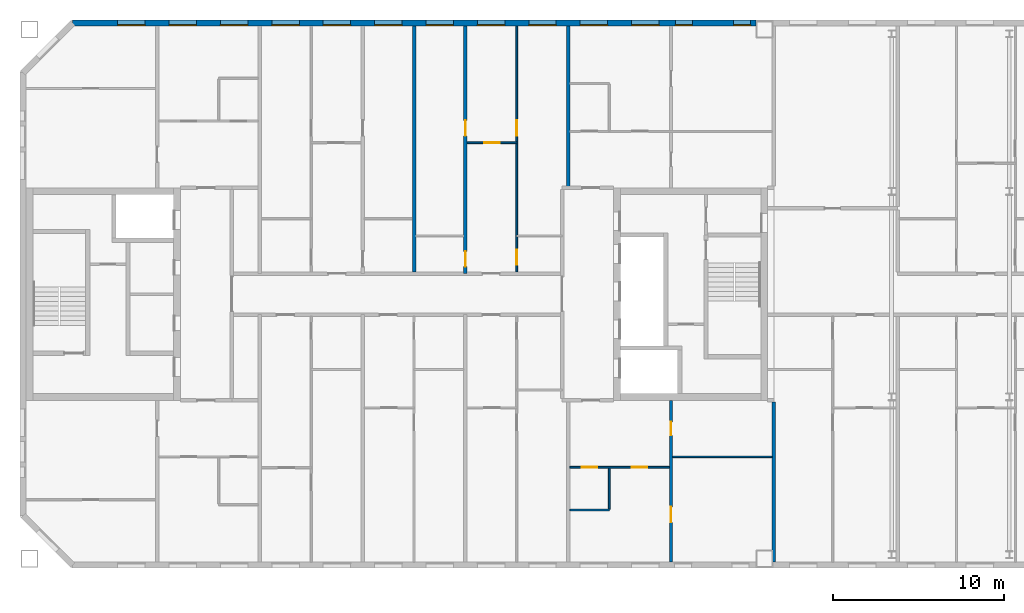
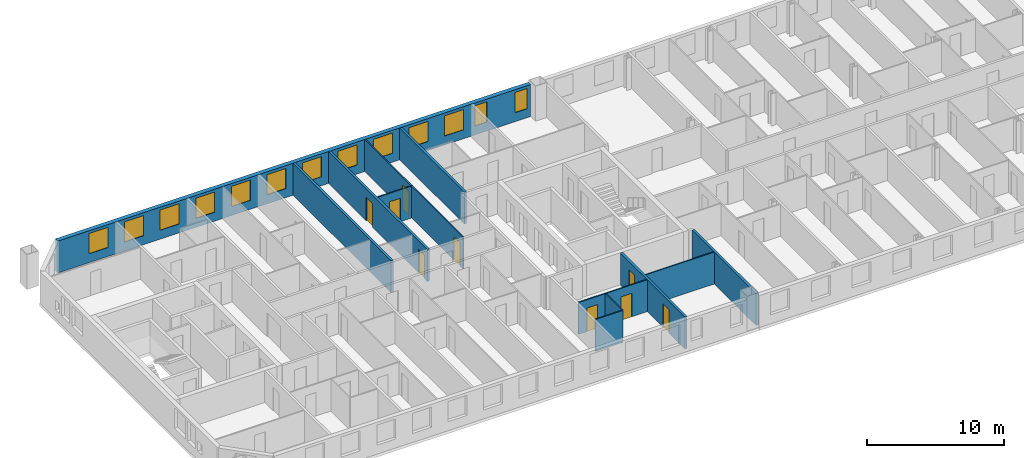
# One storey, part 7 of 19: 13 windows, 12 walls, 9 doors, 22 openings.
"""IFC4 building model written with IfcOpenShell, lengths in metres."""

from ifc_helpers import new_model, si_unit, direction, frame, frame_2d, origin, place, context, subcontext, project, spatial, rectangle, extrude, material, layer, layer_set, type_object, element, fill, save


model = new_model("IFC4")

# Units and contexts
model_context = context("Model", 3, precision=1e-05, world=origin(), true_north=direction((0.0, 1.0)))
body_context = subcontext(model_context, "Body", "Model", "MODEL_VIEW")
ifc_project = project(units=[si_unit("LENGTHUNIT", "METRE"), si_unit("AREAUNIT", "SQUARE_METRE"), si_unit("VOLUMEUNIT", "CUBIC_METRE"), si_unit("PLANEANGLEUNIT", "RADIAN"), si_unit("MASSUNIT", "GRAM", prefix="KILO")], contexts=[model_context])

# Site, building, storey
site_placement = place(None, origin())
site = spatial("IfcSite", under=ifc_project, at=site_placement, CompositionType="ELEMENT")
building_placement = place(site_placement, origin())
building = spatial("IfcBuilding", under=site, at=building_placement, Name="Tuart Gate Housing", CompositionType="ELEMENT")
storey_placement = place(building_placement, frame((0.0, 0.0, 205.89990234375)))
storey = spatial("IfcBuildingStorey", under=building, at=storey_placement, Name="L58", CompositionType="ELEMENT", Elevation=205.89990234375)

# Wall, openings, windows
ifc_material_1 = material(Name="Brick", Category="masonry")
ifc_layer_1 = layer(ifc_material_1, 0.360107421875)
ifc_layer_set_1 = layer_set([ifc_layer_1], Name="Brick pier and spandrel wall 360")
wall_type_1 = type_object("IfcWallType", Name="Brick pier and spandrel wall 360", PredefinedType="STANDARD", material=ifc_layer_set_1)
wall_1_placement = place(storey_placement, frame((74.949951171875, 85.820068359375, 0.0), z_axis=(0.0, 0.0, 1.0), x_axis=(-1.0, 0.0, 0.0)))
wall_1 = element("IfcWall", 1, at=wall_1_placement, inside=storey, type_object=wall_type_1, Name="External wall BLK-N L58", PredefinedType="STANDARD", context=body_context, shape_type="SweptSolid", body=[
    extrude(rectangle(XDim=39.87548828125, YDim=0.360107421875, at=frame_2d((19.937744140625, 0.0))), origin(), (0.0, 0.0, 1.0), 2.85009765625),
])
opening_1_placement = place(wall_1_placement, frame((0.300048828125, 0.0, 0.800048828125)))
opening_1 = element("IfcOpeningElement", 2, at=opening_1_placement, cuts=wall_1, Name="Opening W1C", PredefinedType="OPENING", context=body_context, shape_type="SweptSolid", body=[
    extrude(rectangle(XDim=1.0, YDim=1.800048828125, at=frame_2d((0.5, 0.89990234375))), frame((0.0, 0.18994140625, 0.0), z_axis=(0.0, -1.0, 0.0), x_axis=(1.0, 0.0, 0.0)), (0.0, 0.0, 1.0), 0.380126953125),
])
opening_2_placement = place(wall_1_placement, frame((5.64990234375, 0.0, 0.800048828125)))
opening_2 = element("IfcOpeningElement", 3, at=opening_2_placement, cuts=wall_1, Name="Opening W1", PredefinedType="OPENING", context=body_context, shape_type="SweptSolid", body=[
    extrude(rectangle(XDim=1.60009765625, YDim=1.800048828125, at=frame_2d((0.800048828125, 0.89990234375))), frame((0.0, 0.18994140625, 0.0), z_axis=(0.0, -1.0, 0.0), x_axis=(1.0, 0.0, 0.0)), (0.0, 0.0, 1.0), 0.380126953125),
])
opening_3_placement = place(wall_1_placement, frame((8.64990234375, 0.0, 0.800048828125)))
opening_3 = element("IfcOpeningElement", 4, at=opening_3_placement, cuts=wall_1, Name="Opening W1", PredefinedType="OPENING", context=body_context, shape_type="SweptSolid", body=[
    extrude(rectangle(XDim=1.60009765625, YDim=1.800048828125, at=frame_2d((0.800048828125, 0.89990234375))), frame((0.0, 0.18994140625, 0.0), z_axis=(0.0, -1.0, 0.0), x_axis=(1.0, 0.0, 0.0)), (0.0, 0.0, 1.0), 0.380126953125),
])
opening_4_placement = place(wall_1_placement, frame((11.64990234375, 0.0, 0.800048828125)))
opening_4 = element("IfcOpeningElement", 5, at=opening_4_placement, cuts=wall_1, Name="Opening W1", PredefinedType="OPENING", context=body_context, shape_type="SweptSolid", body=[
    extrude(rectangle(XDim=1.60009765625, YDim=1.800048828125, at=frame_2d((0.800048828125, 0.89990234375))), frame((0.0, 0.18994140625, 0.0), z_axis=(0.0, -1.0, 0.0), x_axis=(1.0, 0.0, 0.0)), (0.0, 0.0, 1.0), 0.380126953125),
])
opening_5_placement = place(wall_1_placement, frame((14.64990234375, 0.0, 0.800048828125)))
opening_5 = element("IfcOpeningElement", 6, at=opening_5_placement, cuts=wall_1, Name="Opening W1", PredefinedType="OPENING", context=body_context, shape_type="SweptSolid", body=[
    extrude(rectangle(XDim=1.60009765625, YDim=1.800048828125, at=frame_2d((0.800048828125, 0.89990234375))), frame((0.0, 0.18994140625, 0.0), z_axis=(0.0, -1.0, 0.0), x_axis=(1.0, 0.0, 0.0)), (0.0, 0.0, 1.0), 0.380126953125),
])
opening_6_placement = place(wall_1_placement, frame((17.64990234375, 0.0, 0.800048828125)))
opening_6 = element("IfcOpeningElement", 7, at=opening_6_placement, cuts=wall_1, Name="Opening W1", PredefinedType="OPENING", context=body_context, shape_type="SweptSolid", body=[
    extrude(rectangle(XDim=1.60009765625, YDim=1.800048828125, at=frame_2d((0.800048828125, 0.89990234375))), frame((0.0, 0.18994140625, 0.0), z_axis=(0.0, -1.0, 0.0), x_axis=(1.0, 0.0, 0.0)), (0.0, 0.0, 1.0), 0.380126953125),
])
opening_7_placement = place(wall_1_placement, frame((20.64990234375, 0.0, 0.800048828125)))
opening_7 = element("IfcOpeningElement", 8, at=opening_7_placement, cuts=wall_1, Name="Opening W1", PredefinedType="OPENING", context=body_context, shape_type="SweptSolid", body=[
    extrude(rectangle(XDim=1.60009765625, YDim=1.800048828125, at=frame_2d((0.800048828125, 0.89990234375))), frame((0.0, 0.18994140625, 0.0), z_axis=(0.0, -1.0, 0.0), x_axis=(1.0, 0.0, 0.0)), (0.0, 0.0, 1.0), 0.380126953125),
])
opening_8_placement = place(wall_1_placement, frame((23.64990234375, 0.0, 0.800048828125)))
opening_8 = element("IfcOpeningElement", 9, at=opening_8_placement, cuts=wall_1, Name="Opening W1", PredefinedType="OPENING", context=body_context, shape_type="SweptSolid", body=[
    extrude(rectangle(XDim=1.60009765625, YDim=1.800048828125, at=frame_2d((0.800048828125, 0.89990234375))), frame((0.0, 0.18994140625, 0.0), z_axis=(0.0, -1.0, 0.0), x_axis=(1.0, 0.0, 0.0)), (0.0, 0.0, 1.0), 0.380126953125),
])
opening_9_placement = place(wall_1_placement, frame((26.64990234375, 0.0, 0.800048828125)))
opening_9 = element("IfcOpeningElement", 10, at=opening_9_placement, cuts=wall_1, Name="Opening W1", PredefinedType="OPENING", context=body_context, shape_type="SweptSolid", body=[
    extrude(rectangle(XDim=1.60009765625, YDim=1.800048828125, at=frame_2d((0.800048828125, 0.89990234375))), frame((0.0, 0.18994140625, 0.0), z_axis=(0.0, -1.0, 0.0), x_axis=(1.0, 0.0, 0.0)), (0.0, 0.0, 1.0), 0.380126953125),
])
opening_10_placement = place(wall_1_placement, frame((29.64990234375, 0.0, 0.800048828125)))
opening_10 = element("IfcOpeningElement", 11, at=opening_10_placement, cuts=wall_1, Name="Opening W1", PredefinedType="OPENING", context=body_context, shape_type="SweptSolid", body=[
    extrude(rectangle(XDim=1.60009765625, YDim=1.800048828125, at=frame_2d((0.800048828125, 0.89990234375))), frame((0.0, 0.18994140625, 0.0), z_axis=(0.0, -1.0, 0.0), x_axis=(1.0, 0.0, 0.0)), (0.0, 0.0, 1.0), 0.380126953125),
])
opening_11_placement = place(wall_1_placement, frame((32.64990234375, 0.0, 0.800048828125)))
opening_11 = element("IfcOpeningElement", 12, at=opening_11_placement, cuts=wall_1, Name="Opening W1", PredefinedType="OPENING", context=body_context, shape_type="SweptSolid", body=[
    extrude(rectangle(XDim=1.60009765625, YDim=1.800048828125, at=frame_2d((0.800048828125, 0.89990234375))), frame((0.0, 0.18994140625, 0.0), z_axis=(0.0, -1.0, 0.0), x_axis=(1.0, 0.0, 0.0)), (0.0, 0.0, 1.0), 0.380126953125),
])
opening_12_placement = place(wall_1_placement, frame((35.64990234375, 0.0, 0.800048828125)))
opening_12 = element("IfcOpeningElement", 13, at=opening_12_placement, cuts=wall_1, Name="Opening W1", PredefinedType="OPENING", context=body_context, shape_type="SweptSolid", body=[
    extrude(rectangle(XDim=1.60009765625, YDim=1.800048828125, at=frame_2d((0.800048828125, 0.89990234375))), frame((0.0, 0.18994140625, 0.0), z_axis=(0.0, -1.0, 0.0), x_axis=(1.0, 0.0, 0.0)), (0.0, 0.0, 1.0), 0.380126953125),
])
opening_13_placement = place(wall_1_placement, frame((3.699951171875, 0.0, 0.800048828125)))
opening_13 = element("IfcOpeningElement", 14, at=opening_13_placement, cuts=wall_1, Name="Opening W1C", PredefinedType="OPENING", context=body_context, shape_type="SweptSolid", body=[
    extrude(rectangle(XDim=1.0, YDim=1.800048828125, at=frame_2d((0.5, 0.89990234375))), frame((0.0, 0.18994140625, 0.0), z_axis=(0.0, -1.0, 0.0), x_axis=(1.0, 0.0, 0.0)), (0.0, 0.0, 1.0), 0.380126953125),
])
ifc_material_2 = material(Name="Aluminium frame with clear glass", Category="aluminium")
window_type_1 = type_object("IfcWindowType", Name="Punched window 1000 x 1800", PartitioningType="SINGLE_PANEL", PredefinedType="WINDOW", material=ifc_material_2)
window_1_placement = place(opening_1_placement, origin())
window_1 = element("IfcWindow", 15, at=window_1_placement, inside=storey, type_object=window_type_1, Name="Window W1C", OverallHeight=1.800048828125, OverallWidth=1.0, PartitioningType="SINGLE_PANEL", PredefinedType="WINDOW", context=body_context, shape_type="SweptSolid", body=[
    extrude(rectangle(XDim=1.0, YDim=1.800048828125, at=frame_2d((0.5, 0.89990234375))), frame((0.0, 0.150146484375, 0.0), z_axis=(0.0, -1.0, 0.0), x_axis=(1.0, 0.0, 0.0)), (0.0, 0.0, 1.0), 0.06005859375),
])
fill(opening_1, window_1)
window_2_placement = place(opening_13_placement, origin())
window_2 = element("IfcWindow", 16, at=window_2_placement, inside=storey, type_object=window_type_1, Name="Window W1C", OverallHeight=1.800048828125, OverallWidth=1.0, PartitioningType="SINGLE_PANEL", PredefinedType="WINDOW", context=body_context, shape_type="SweptSolid", body=[
    extrude(rectangle(XDim=1.0, YDim=1.800048828125, at=frame_2d((0.5, 0.89990234375))), frame((0.0, 0.150146484375, 0.0), z_axis=(0.0, -1.0, 0.0), x_axis=(1.0, 0.0, 0.0)), (0.0, 0.0, 1.0), 0.06005859375),
])
fill(opening_13, window_2)
ifc_material_3 = material(Name="Aluminium frame with clear glass", Category="aluminium")
window_type_2 = type_object("IfcWindowType", Name="Punched window 1600 x 1800", PartitioningType="SINGLE_PANEL", PredefinedType="WINDOW", material=ifc_material_3)
window_3_placement = place(opening_2_placement, origin())
window_3 = element("IfcWindow", 17, at=window_3_placement, inside=storey, type_object=window_type_2, Name="Window W1", OverallHeight=1.800048828125, OverallWidth=1.60009765625, PartitioningType="SINGLE_PANEL", PredefinedType="WINDOW", context=body_context, shape_type="SweptSolid", body=[
    extrude(rectangle(XDim=1.60009765625, YDim=1.800048828125, at=frame_2d((0.800048828125, 0.89990234375))), frame((0.0, 0.150146484375, 0.0), z_axis=(0.0, -1.0, 0.0), x_axis=(1.0, 0.0, 0.0)), (0.0, 0.0, 1.0), 0.06005859375),
])
fill(opening_2, window_3)
window_4_placement = place(opening_3_placement, origin())
window_4 = element("IfcWindow", 18, at=window_4_placement, inside=storey, type_object=window_type_2, Name="Window W1", OverallHeight=1.800048828125, OverallWidth=1.60009765625, PartitioningType="SINGLE_PANEL", PredefinedType="WINDOW", context=body_context, shape_type="SweptSolid", body=[
    extrude(rectangle(XDim=1.60009765625, YDim=1.800048828125, at=frame_2d((0.800048828125, 0.89990234375))), frame((0.0, 0.150146484375, 0.0), z_axis=(0.0, -1.0, 0.0), x_axis=(1.0, 0.0, 0.0)), (0.0, 0.0, 1.0), 0.06005859375),
])
fill(opening_3, window_4)
window_5_placement = place(opening_4_placement, origin())
window_5 = element("IfcWindow", 19, at=window_5_placement, inside=storey, type_object=window_type_2, Name="Window W1", OverallHeight=1.800048828125, OverallWidth=1.60009765625, PartitioningType="SINGLE_PANEL", PredefinedType="WINDOW", context=body_context, shape_type="SweptSolid", body=[
    extrude(rectangle(XDim=1.60009765625, YDim=1.800048828125, at=frame_2d((0.800048828125, 0.89990234375))), frame((0.0, 0.150146484375, 0.0), z_axis=(0.0, -1.0, 0.0), x_axis=(1.0, 0.0, 0.0)), (0.0, 0.0, 1.0), 0.06005859375),
])
fill(opening_4, window_5)
window_6_placement = place(opening_5_placement, origin())
window_6 = element("IfcWindow", 20, at=window_6_placement, inside=storey, type_object=window_type_2, Name="Window W1", OverallHeight=1.800048828125, OverallWidth=1.60009765625, PartitioningType="SINGLE_PANEL", PredefinedType="WINDOW", context=body_context, shape_type="SweptSolid", body=[
    extrude(rectangle(XDim=1.60009765625, YDim=1.800048828125, at=frame_2d((0.800048828125, 0.89990234375))), frame((0.0, 0.150146484375, 0.0), z_axis=(0.0, -1.0, 0.0), x_axis=(1.0, 0.0, 0.0)), (0.0, 0.0, 1.0), 0.06005859375),
])
fill(opening_5, window_6)
window_7_placement = place(opening_6_placement, origin())
window_7 = element("IfcWindow", 21, at=window_7_placement, inside=storey, type_object=window_type_2, Name="Window W1", OverallHeight=1.800048828125, OverallWidth=1.60009765625, PartitioningType="SINGLE_PANEL", PredefinedType="WINDOW", context=body_context, shape_type="SweptSolid", body=[
    extrude(rectangle(XDim=1.60009765625, YDim=1.800048828125, at=frame_2d((0.800048828125, 0.89990234375))), frame((0.0, 0.150146484375, 0.0), z_axis=(0.0, -1.0, 0.0), x_axis=(1.0, 0.0, 0.0)), (0.0, 0.0, 1.0), 0.06005859375),
])
fill(opening_6, window_7)
window_8_placement = place(opening_7_placement, origin())
window_8 = element("IfcWindow", 22, at=window_8_placement, inside=storey, type_object=window_type_2, Name="Window W1", OverallHeight=1.800048828125, OverallWidth=1.60009765625, PartitioningType="SINGLE_PANEL", PredefinedType="WINDOW", context=body_context, shape_type="SweptSolid", body=[
    extrude(rectangle(XDim=1.60009765625, YDim=1.800048828125, at=frame_2d((0.800048828125, 0.89990234375))), frame((0.0, 0.150146484375, 0.0), z_axis=(0.0, -1.0, 0.0), x_axis=(1.0, 0.0, 0.0)), (0.0, 0.0, 1.0), 0.06005859375),
])
fill(opening_7, window_8)
window_9_placement = place(opening_8_placement, origin())
window_9 = element("IfcWindow", 23, at=window_9_placement, inside=storey, type_object=window_type_2, Name="Window W1", OverallHeight=1.800048828125, OverallWidth=1.60009765625, PartitioningType="SINGLE_PANEL", PredefinedType="WINDOW", context=body_context, shape_type="SweptSolid", body=[
    extrude(rectangle(XDim=1.60009765625, YDim=1.800048828125, at=frame_2d((0.800048828125, 0.89990234375))), frame((0.0, 0.150146484375, 0.0), z_axis=(0.0, -1.0, 0.0), x_axis=(1.0, 0.0, 0.0)), (0.0, 0.0, 1.0), 0.06005859375),
])
fill(opening_8, window_9)
window_10_placement = place(opening_9_placement, origin())
window_10 = element("IfcWindow", 24, at=window_10_placement, inside=storey, type_object=window_type_2, Name="Window W1", OverallHeight=1.800048828125, OverallWidth=1.60009765625, PartitioningType="SINGLE_PANEL", PredefinedType="WINDOW", context=body_context, shape_type="SweptSolid", body=[
    extrude(rectangle(XDim=1.60009765625, YDim=1.800048828125, at=frame_2d((0.800048828125, 0.89990234375))), frame((0.0, 0.150146484375, 0.0), z_axis=(0.0, -1.0, 0.0), x_axis=(1.0, 0.0, 0.0)), (0.0, 0.0, 1.0), 0.06005859375),
])
fill(opening_9, window_10)
window_11_placement = place(opening_10_placement, origin())
window_11 = element("IfcWindow", 25, at=window_11_placement, inside=storey, type_object=window_type_2, Name="Window W1", OverallHeight=1.800048828125, OverallWidth=1.60009765625, PartitioningType="SINGLE_PANEL", PredefinedType="WINDOW", context=body_context, shape_type="SweptSolid", body=[
    extrude(rectangle(XDim=1.60009765625, YDim=1.800048828125, at=frame_2d((0.800048828125, 0.89990234375))), frame((0.0, 0.150146484375, 0.0), z_axis=(0.0, -1.0, 0.0), x_axis=(1.0, 0.0, 0.0)), (0.0, 0.0, 1.0), 0.06005859375),
])
fill(opening_10, window_11)
window_12_placement = place(opening_11_placement, origin())
window_12 = element("IfcWindow", 26, at=window_12_placement, inside=storey, type_object=window_type_2, Name="Window W1", OverallHeight=1.800048828125, OverallWidth=1.60009765625, PartitioningType="SINGLE_PANEL", PredefinedType="WINDOW", context=body_context, shape_type="SweptSolid", body=[
    extrude(rectangle(XDim=1.60009765625, YDim=1.800048828125, at=frame_2d((0.800048828125, 0.89990234375))), frame((0.0, 0.150146484375, 0.0), z_axis=(0.0, -1.0, 0.0), x_axis=(1.0, 0.0, 0.0)), (0.0, 0.0, 1.0), 0.06005859375),
])
fill(opening_11, window_12)
window_13_placement = place(opening_12_placement, origin())
window_13 = element("IfcWindow", 27, at=window_13_placement, inside=storey, type_object=window_type_2, Name="Window W1", OverallHeight=1.800048828125, OverallWidth=1.60009765625, PartitioningType="SINGLE_PANEL", PredefinedType="WINDOW", context=body_context, shape_type="SweptSolid", body=[
    extrude(rectangle(XDim=1.60009765625, YDim=1.800048828125, at=frame_2d((0.800048828125, 0.89990234375))), frame((0.0, 0.150146484375, 0.0), z_axis=(0.0, -1.0, 0.0), x_axis=(1.0, 0.0, 0.0)), (0.0, 0.0, 1.0), 0.06005859375),
])
fill(opening_12, window_13)

# Wall
ifc_material_4 = material(Name="Gypsum board on steel studs", Category="steel")
ifc_layer_2 = layer(ifc_material_4, 0.10009765625)
ifc_layer_set_2 = layer_set([ifc_layer_2], Name="Partition 100")
wall_type_2 = type_object("IfcWallType", Name="Partition 100", PredefinedType="PARTITIONING", material=ifc_layer_set_2)
wall_2_placement = place(storey_placement, frame((64.10009765625, 57.39990234375, 0.0), z_axis=(0.0, 0.0, 1.0), x_axis=(1.0, 0.0, 0.0)))
element("IfcWall", 28, at=wall_2_placement, inside=storey, type_object=wall_type_2, Name="Partition 100", PredefinedType="PARTITIONING", context=body_context, shape_type="SweptSolid", body=[
    extrude(rectangle(XDim=2.2998046875, YDim=0.10009765625, at=frame_2d((1.14990234375, 0.0))), origin(), (0.0, 0.0, 1.0), 2.85009765625),
])

# Wall, openings, doors
wall_3_placement = place(storey_placement, frame((64.10009765625, 59.89990234375, 0.0), z_axis=(0.0, 0.0, 1.0), x_axis=(1.0, 0.0, 0.0)))
wall_3 = element("IfcWall", 29, at=wall_3_placement, inside=storey, type_object=wall_type_2, Name="Partition 100", PredefinedType="PARTITIONING", context=body_context, shape_type="SweptSolid", body=[
    extrude(rectangle(XDim=5.7998046875, YDim=0.10009765625, at=frame_2d((2.89990234375, 0.0))), origin(), (0.0, 0.0, 1.0), 2.85009765625),
])
opening_14_placement = place(wall_3_placement, frame((3.60009765625, 0.0, 0.0)))
opening_14 = element("IfcOpeningElement", 30, at=opening_14_placement, cuts=wall_3, Name="Opening D1996", PredefinedType="OPENING", context=body_context, shape_type="SweptSolid", body=[
    extrude(rectangle(XDim=0.89990234375, YDim=2.10009765625, at=frame_2d((0.449951171875, 1.050048828125))), frame((0.0, 0.06005859375, 0.0), z_axis=(0.0, -1.0, 0.0), x_axis=(1.0, 0.0, 0.0)), (0.0, 0.0, 1.0), 0.1201171875),
])
opening_15_placement = place(wall_3_placement, frame((0.699951171875, 0.0, 0.0)))
opening_15 = element("IfcOpeningElement", 31, at=opening_15_placement, cuts=wall_3, Name="Opening D1995", PredefinedType="OPENING", context=body_context, shape_type="SweptSolid", body=[
    extrude(rectangle(XDim=0.89990234375, YDim=2.10009765625, at=frame_2d((0.449951171875, 1.050048828125))), frame((0.0, 0.06005859375, 0.0), z_axis=(0.0, -1.0, 0.0), x_axis=(1.0, 0.0, 0.0)), (0.0, 0.0, 1.0), 0.1201171875),
])
ifc_material_5 = material(Name="Timber door leaf in steel frame", Category="steel")
door_type_1 = type_object("IfcDoorType", Name="Bathroom door 900", OperationType="SINGLE_SWING_LEFT", PredefinedType="DOOR", material=ifc_material_5)
door_1_placement = place(opening_15_placement, frame((0.89990234375, 0.0, 0.0), z_axis=(0.0, 0.0, 1.0), x_axis=(-1.0, 0.0, 0.0)))
door_1 = element("IfcDoor", 32, at=door_1_placement, inside=storey, type_object=door_type_1, Name="Bathroom door", OperationType="SINGLE_SWING_LEFT", OverallHeight=2.10009765625, OverallWidth=0.89990234375, PredefinedType="DOOR", context=body_context, shape_type="SweptSolid", body=[
    extrude(rectangle(XDim=0.89990234375, YDim=2.10009765625, at=frame_2d((0.449951171875, 1.050048828125))), frame((0.0, 0.025146484375, 0.0), z_axis=(0.0, -1.0, 0.0), x_axis=(1.0, 0.0, 0.0)), (0.0, 0.0, 1.0), 0.050048828125),
])
fill(opening_15, door_1)
ifc_material_6 = material(Name="Timber door leaf in steel frame", Category="steel")
door_type_2 = type_object("IfcDoorType", Name="Internal door 900 RH", OperationType="SINGLE_SWING_RIGHT", PredefinedType="DOOR", material=ifc_material_6)
door_2_placement = place(opening_14_placement, origin())
door_2 = element("IfcDoor", 33, at=door_2_placement, inside=storey, type_object=door_type_2, Name="Internal door", OperationType="SINGLE_SWING_RIGHT", OverallHeight=2.10009765625, OverallWidth=0.89990234375, PredefinedType="DOOR", context=body_context, shape_type="SweptSolid", body=[
    extrude(rectangle(XDim=0.89990234375, YDim=2.10009765625, at=frame_2d((0.449951171875, 1.050048828125))), frame((0.0, 0.02490234375, 0.0), z_axis=(0.0, -1.0, 0.0), x_axis=(1.0, 0.0, 0.0)), (0.0, 0.0, 1.0), 0.050048828125),
])
fill(opening_14, door_2)

# Wall
wall_4_placement = place(storey_placement, frame((70.10009765625, 60.5, 0.0), z_axis=(0.0, 0.0, 1.0), x_axis=(1.0, 0.0, 0.0)))
element("IfcWall", 34, at=wall_4_placement, inside=storey, type_object=wall_type_2, Name="Partition 100", PredefinedType="PARTITIONING", context=body_context, shape_type="SweptSolid", body=[
    extrude(rectangle(XDim=5.7998046875, YDim=0.10009765625, at=frame_2d((2.89990234375, 0.0))), origin(), (0.0, 0.0, 1.0), 2.85009765625),
])

# Wall, opening, door
wall_5_placement = place(storey_placement, frame((58.10009765625, 78.840087890625, 0.0), z_axis=(0.0, 0.0, 1.0), x_axis=(1.0, 0.0, 0.0)))
wall_5 = element("IfcWall", 35, at=wall_5_placement, inside=storey, type_object=wall_type_2, Name="Partition 100", PredefinedType="PARTITIONING", context=body_context, shape_type="SweptSolid", body=[
    extrude(rectangle(XDim=2.89990234375, YDim=0.10009765625, at=frame_2d((1.449951171875, 0.0))), origin(), (0.0, 0.0, 1.0), 2.85009765625),
])
opening_16_placement = place(wall_5_placement, frame((1.0, 0.0, 0.0)))
opening_16 = element("IfcOpeningElement", 36, at=opening_16_placement, cuts=wall_5, Name="Opening D1955", PredefinedType="OPENING", context=body_context, shape_type="SweptSolid", body=[
    extrude(rectangle(XDim=0.89990234375, YDim=2.10009765625, at=frame_2d((0.449951171875, 1.050048828125))), frame((0.0, 0.06005859375, 0.0), z_axis=(0.0, -1.0, 0.0), x_axis=(1.0, 0.0, 0.0)), (0.0, 0.0, 1.0), 0.1201171875),
])
ifc_material_7 = material(Name="Timber door leaf in steel frame", Category="steel")
door_type_3 = type_object("IfcDoorType", Name="Internal door 900", OperationType="SINGLE_SWING_LEFT", PredefinedType="DOOR", material=ifc_material_7)
door_3_placement = place(opening_16_placement, frame((0.89990234375, 0.0, 0.0), z_axis=(0.0, 0.0, 1.0), x_axis=(-1.0, 0.0, 0.0)))
door_3 = element("IfcDoor", 37, at=door_3_placement, inside=storey, type_object=door_type_3, Name="Internal door", OperationType="SINGLE_SWING_LEFT", OverallHeight=2.10009765625, OverallWidth=0.89990234375, PredefinedType="DOOR", context=body_context, shape_type="SweptSolid", body=[
    extrude(rectangle(XDim=0.89990234375, YDim=2.10009765625, at=frame_2d((0.449951171875, 1.050048828125))), frame((0.0, 0.025146484375, 0.0), z_axis=(0.0, -1.0, 0.0), x_axis=(1.0, 0.0, 0.0)), (0.0, 0.0, 1.0), 0.050048828125),
])
fill(opening_16, door_3)

# Wall, openings, doors
wall_6_placement = place(storey_placement, frame((61.0, 71.300048828125, 0.0), z_axis=(0.0, 0.0, 1.0), x_axis=(0.0, 1.0, 0.0)))
wall_6 = element("IfcWall", 38, at=wall_6_placement, inside=storey, type_object=wall_type_2, Name="Partition 100", PredefinedType="PARTITIONING", context=body_context, shape_type="SweptSolid", body=[
    extrude(rectangle(XDim=14.33984375, YDim=0.10009765625, at=frame_2d((7.169921875, 0.0))), origin(), (0.0, 0.0, 1.0), 2.85009765625),
])
opening_17_placement = place(wall_6_placement, frame((7.93994140625, 0.0, 0.0)))
opening_17 = element("IfcOpeningElement", 39, at=opening_17_placement, cuts=wall_6, Name="Opening D1959", PredefinedType="OPENING", context=body_context, shape_type="SweptSolid", body=[
    extrude(rectangle(XDim=0.89990234375, YDim=2.10009765625, at=frame_2d((0.449951171875, 1.050048828125))), frame((0.0, 0.06005859375, 0.0), z_axis=(0.0, -1.0, 0.0), x_axis=(1.0, 0.0, 0.0)), (0.0, 0.0, 1.0), 0.1201171875),
])
opening_18_placement = place(wall_6_placement, frame((0.39990234375, 0.0, 0.0)))
opening_18 = element("IfcOpeningElement", 40, at=opening_18_placement, cuts=wall_6, Name="Opening D1958", PredefinedType="OPENING", context=body_context, shape_type="SweptSolid", body=[
    extrude(rectangle(XDim=0.89990234375, YDim=2.10009765625, at=frame_2d((0.449951171875, 1.050048828125))), frame((0.0, 0.06005859375, 0.0), z_axis=(0.0, -1.0, 0.0), x_axis=(1.0, 0.0, 0.0)), (0.0, 0.0, 1.0), 0.1201171875),
])
ifc_material_8 = material(Name="Timber door leaf in steel frame", Category="steel")
door_type_4 = type_object("IfcDoorType", Name="Bathroom door 900 RH", OperationType="SINGLE_SWING_RIGHT", PredefinedType="DOOR", material=ifc_material_8)
door_4_placement = place(opening_18_placement, frame((0.89990234375, 0.0, 0.0), z_axis=(0.0, 0.0, 1.0), x_axis=(-1.0, 0.0, 0.0)))
door_4 = element("IfcDoor", 41, at=door_4_placement, inside=storey, type_object=door_type_4, Name="Bathroom door", OperationType="SINGLE_SWING_RIGHT", OverallHeight=2.10009765625, OverallWidth=0.89990234375, PredefinedType="DOOR", context=body_context, shape_type="SweptSolid", body=[
    extrude(rectangle(XDim=0.89990234375, YDim=2.10009765625, at=frame_2d((0.449951171875, 1.050048828125))), frame((0.0, 0.025146484375, 0.0), z_axis=(0.0, -1.0, 0.0), x_axis=(1.0, 0.0, 0.0)), (0.0, 0.0, 1.0), 0.050048828125),
])
fill(opening_18, door_4)
door_5_placement = place(opening_17_placement, frame((0.89990234375, 0.0, 0.0), z_axis=(0.0, 0.0, 1.0), x_axis=(-1.0, 0.0, 0.0)))
door_5 = element("IfcDoor", 42, at=door_5_placement, inside=storey, type_object=door_type_3, Name="Internal door", OperationType="SINGLE_SWING_LEFT", OverallHeight=2.10009765625, OverallWidth=0.89990234375, PredefinedType="DOOR", context=body_context, shape_type="SweptSolid", body=[
    extrude(rectangle(XDim=0.89990234375, YDim=2.10009765625, at=frame_2d((0.449951171875, 1.050048828125))), frame((0.0, 0.025146484375, 0.0), z_axis=(0.0, -1.0, 0.0), x_axis=(1.0, 0.0, 0.0)), (0.0, 0.0, 1.0), 0.050048828125),
])
fill(opening_17, door_5)

# Wall
wall_7_placement = place(storey_placement, frame((66.39990234375, 57.449951171875, 0.0), z_axis=(0.0, 0.0, 1.0), x_axis=(0.0, 1.0, 0.0)))
element("IfcWall", 43, at=wall_7_placement, inside=storey, type_object=wall_type_2, Name="Partition 100", PredefinedType="PARTITIONING", context=body_context, shape_type="SweptSolid", body=[
    extrude(rectangle(XDim=2.400146484375, YDim=0.10009765625, at=frame_2d((1.2001953125, 0.0))), origin(), (0.0, 0.0, 1.0), 2.85009765625),
])

# Wall, openings, doors
ifc_material_9 = material(Name="Concrete C40", Category="concrete")
ifc_layer_3 = layer(ifc_material_9, 0.199951171875)
ifc_layer_set_3 = layer_set([ifc_layer_3], Name="Party wall concrete C40 200")
wall_type_3 = type_object("IfcWallType", Name="Party wall concrete C40 200", PredefinedType="SOLIDWALL", material=ifc_layer_set_3)
wall_8_placement = place(storey_placement, frame((58.0, 71.199951171875, 0.0), z_axis=(0.0, 0.0, 1.0), x_axis=(0.0, 1.0, 0.0)))
wall_8 = element("IfcWall", 44, at=wall_8_placement, inside=storey, type_object=wall_type_3, Name="Party wall concrete C40 200", PredefinedType="SOLIDWALL", context=body_context, shape_type="SweptSolid", body=[
    extrude(rectangle(XDim=14.43994140625, YDim=0.199951171875, at=frame_2d((7.219970703125, 0.0))), origin(), (0.0, 0.0, 1.0), 2.85009765625),
])
opening_19_placement = place(wall_8_placement, frame((8.0400390625, 0.0, 0.0)))
opening_19 = element("IfcOpeningElement", 45, at=opening_19_placement, cuts=wall_8, Name="Opening D1963", PredefinedType="OPENING", context=body_context, shape_type="SweptSolid", body=[
    extrude(rectangle(XDim=0.89990234375, YDim=2.10009765625, at=frame_2d((0.449951171875, 1.050048828125))), frame((0.0, 0.10986328125, 0.0), z_axis=(0.0, -1.0, 0.0), x_axis=(1.0, 0.0, 0.0)), (0.0, 0.0, 1.0), 0.219970703125),
])
opening_20_placement = place(wall_8_placement, frame((0.39990234375, 0.0, 0.0)))
opening_20 = element("IfcOpeningElement", 46, at=opening_20_placement, cuts=wall_8, Name="Opening D1962", PredefinedType="OPENING", context=body_context, shape_type="SweptSolid", body=[
    extrude(rectangle(XDim=0.89990234375, YDim=2.10009765625, at=frame_2d((0.449951171875, 1.050048828125))), frame((0.0, 0.10986328125, 0.0), z_axis=(0.0, -1.0, 0.0), x_axis=(1.0, 0.0, 0.0)), (0.0, 0.0, 1.0), 0.219970703125),
])
door_6_placement = place(opening_20_placement, origin())
door_6 = element("IfcDoor", 47, at=door_6_placement, inside=storey, type_object=door_type_1, Name="Bathroom door", OperationType="SINGLE_SWING_LEFT", OverallHeight=2.10009765625, OverallWidth=0.89990234375, PredefinedType="DOOR", context=body_context, shape_type="SweptSolid", body=[
    extrude(rectangle(XDim=0.89990234375, YDim=2.10009765625, at=frame_2d((0.449951171875, 1.050048828125))), frame((0.0, 0.02490234375, 0.0), z_axis=(0.0, -1.0, 0.0), x_axis=(1.0, 0.0, 0.0)), (0.0, 0.0, 1.0), 0.050048828125),
])
fill(opening_20, door_6)
door_7_placement = place(opening_19_placement, origin())
door_7 = element("IfcDoor", 48, at=door_7_placement, inside=storey, type_object=door_type_2, Name="Internal door", OperationType="SINGLE_SWING_RIGHT", OverallHeight=2.10009765625, OverallWidth=0.89990234375, PredefinedType="DOOR", context=body_context, shape_type="SweptSolid", body=[
    extrude(rectangle(XDim=0.89990234375, YDim=2.10009765625, at=frame_2d((0.449951171875, 1.050048828125))), frame((0.0, 0.02490234375, 0.0), z_axis=(0.0, -1.0, 0.0), x_axis=(1.0, 0.0, 0.0)), (0.0, 0.0, 1.0), 0.050048828125),
])
fill(opening_19, door_7)

# Wall
wall_9_placement = place(storey_placement, frame((64.0, 76.199951171875, 0.0), z_axis=(0.0, 0.0, 1.0), x_axis=(0.0, 1.0, 0.0)))
element("IfcWall", 49, at=wall_9_placement, inside=storey, type_object=wall_type_3, Name="Party wall concrete C40 200", PredefinedType="SOLIDWALL", context=body_context, shape_type="SweptSolid", body=[
    extrude(rectangle(XDim=9.43994140625, YDim=0.199951171875, at=frame_2d((4.719970703125, 0.0))), origin(), (0.0, 0.0, 1.0), 2.85009765625),
])

# Wall, openings, doors
wall_10_placement = place(storey_placement, frame((70.0, 54.360107421875, 0.0), z_axis=(0.0, 0.0, 1.0), x_axis=(0.0, 1.0, 0.0)))
wall_10 = element("IfcWall", 50, at=wall_10_placement, inside=storey, type_object=wall_type_3, Name="Party wall concrete C40 200", PredefinedType="SOLIDWALL", context=body_context, shape_type="SweptSolid", body=[
    extrude(rectangle(XDim=9.43994140625, YDim=0.199951171875, at=frame_2d((4.719970703125, 0.0))), origin(), (0.0, 0.0, 1.0), 2.85009765625),
])
opening_21_placement = place(wall_10_placement, frame((2.320068359375, 0.0, 0.0)))
opening_21 = element("IfcOpeningElement", 51, at=opening_21_placement, cuts=wall_10, Name="Opening D1999", PredefinedType="OPENING", context=body_context, shape_type="SweptSolid", body=[
    extrude(rectangle(XDim=0.89990234375, YDim=2.10009765625, at=frame_2d((0.449951171875, 1.050048828125))), frame((0.0, 0.10986328125, 0.0), z_axis=(0.0, -1.0, 0.0), x_axis=(1.0, 0.0, 0.0)), (0.0, 0.0, 1.0), 0.219970703125),
])
opening_22_placement = place(wall_10_placement, frame((7.389892578125, 0.0, 0.0)))
opening_22 = element("IfcOpeningElement", 52, at=opening_22_placement, cuts=wall_10, Name="Opening D2000", PredefinedType="OPENING", context=body_context, shape_type="SweptSolid", body=[
    extrude(rectangle(XDim=0.800048828125, YDim=2.10009765625, at=frame_2d((0.39990234375, 1.050048828125))), frame((0.0, 0.10986328125, 0.0), z_axis=(0.0, -1.0, 0.0), x_axis=(1.0, 0.0, 0.0)), (0.0, 0.0, 1.0), 0.219970703125),
])
door_8_placement = place(opening_21_placement, frame((0.89990234375, 0.0, 0.0), z_axis=(0.0, 0.0, 1.0), x_axis=(-1.0, 0.0, 0.0)))
door_8 = element("IfcDoor", 53, at=door_8_placement, inside=storey, type_object=door_type_2, Name="Internal door", OperationType="SINGLE_SWING_RIGHT", OverallHeight=2.10009765625, OverallWidth=0.89990234375, PredefinedType="DOOR", context=body_context, shape_type="SweptSolid", body=[
    extrude(rectangle(XDim=0.89990234375, YDim=2.10009765625, at=frame_2d((0.449951171875, 1.050048828125))), frame((0.0, 0.025146484375, 0.0), z_axis=(0.0, -1.0, 0.0), x_axis=(1.0, 0.0, 0.0)), (0.0, 0.0, 1.0), 0.050048828125),
])
fill(opening_21, door_8)
ifc_material_10 = material(Name="Timber door leaf in steel frame", Category="steel")
door_type_5 = type_object("IfcDoorType", Name="Store door 800 RH", OperationType="SINGLE_SWING_RIGHT", PredefinedType="DOOR", material=ifc_material_10)
door_9_placement = place(opening_22_placement, frame((0.800048828125, 0.0, 0.0), z_axis=(0.0, 0.0, 1.0), x_axis=(-1.0, 0.0, 0.0)))
door_9 = element("IfcDoor", 54, at=door_9_placement, inside=storey, type_object=door_type_5, Name="Store door", OperationType="SINGLE_SWING_RIGHT", OverallHeight=2.10009765625, OverallWidth=0.800048828125, PredefinedType="DOOR", context=body_context, shape_type="SweptSolid", body=[
    extrude(rectangle(XDim=0.800048828125, YDim=2.10009765625, at=frame_2d((0.400146484375, 1.050048828125))), frame((0.0, 0.025146484375, 0.0), z_axis=(0.0, -1.0, 0.0), x_axis=(1.0, 0.0, 0.0)), (0.0, 0.0, 1.0), 0.050048828125),
])
fill(opening_22, door_9)

# Walls
ifc_material_11 = material(Name="Concrete masonry 15 MPa", Category="masonry")
ifc_layer_4 = layer(ifc_material_11, 0.199951171875)
ifc_layer_set_4 = layer_set([ifc_layer_4], Name="Party wall masonry 200")
wall_type_4 = type_object("IfcWallType", Name="Party wall masonry 200", PredefinedType="PARTITIONING", material=ifc_layer_set_4)
wall_11_placement = place(storey_placement, frame((55.0, 71.300048828125, 0.0), z_axis=(0.0, 0.0, 1.0), x_axis=(0.0, 1.0, 0.0)))
element("IfcWall", 55, at=wall_11_placement, inside=storey, type_object=wall_type_4, Name="Party wall masonry 200", PredefinedType="PARTITIONING", context=body_context, shape_type="SweptSolid", body=[
    extrude(rectangle(XDim=14.33984375, YDim=0.199951171875, at=frame_2d((7.169921875, 0.0))), origin(), (0.0, 0.0, 1.0), 2.85009765625),
])
wall_12_placement = place(storey_placement, frame((76.0, 54.360107421875, 0.0), z_axis=(0.0, 0.0, 1.0), x_axis=(0.0, 1.0, 0.0)))
element("IfcWall", 56, at=wall_12_placement, inside=storey, type_object=wall_type_4, Name="Party wall masonry 200", PredefinedType="PARTITIONING", context=body_context, shape_type="SweptSolid", body=[
    extrude(rectangle(XDim=9.33984375, YDim=0.199951171875, at=frame_2d((4.669921875, 0.0))), origin(), (0.0, 0.0, 1.0), 2.85009765625),
])

save(model, "model.ifc")
